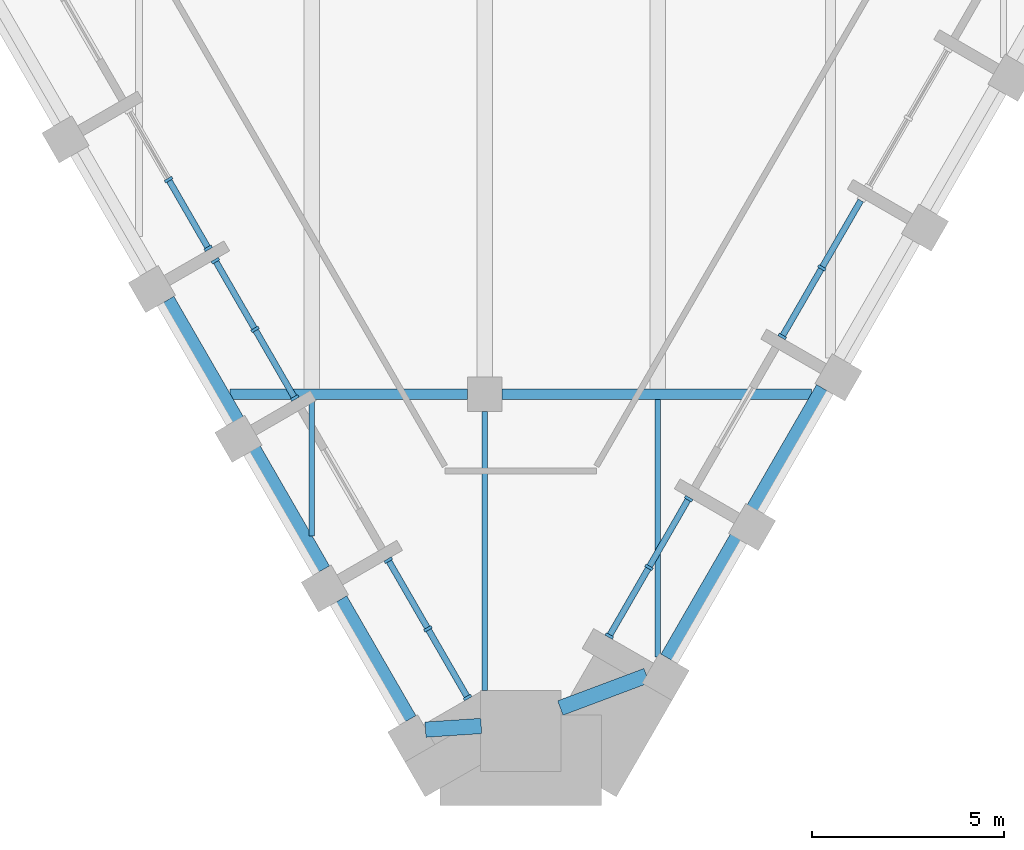
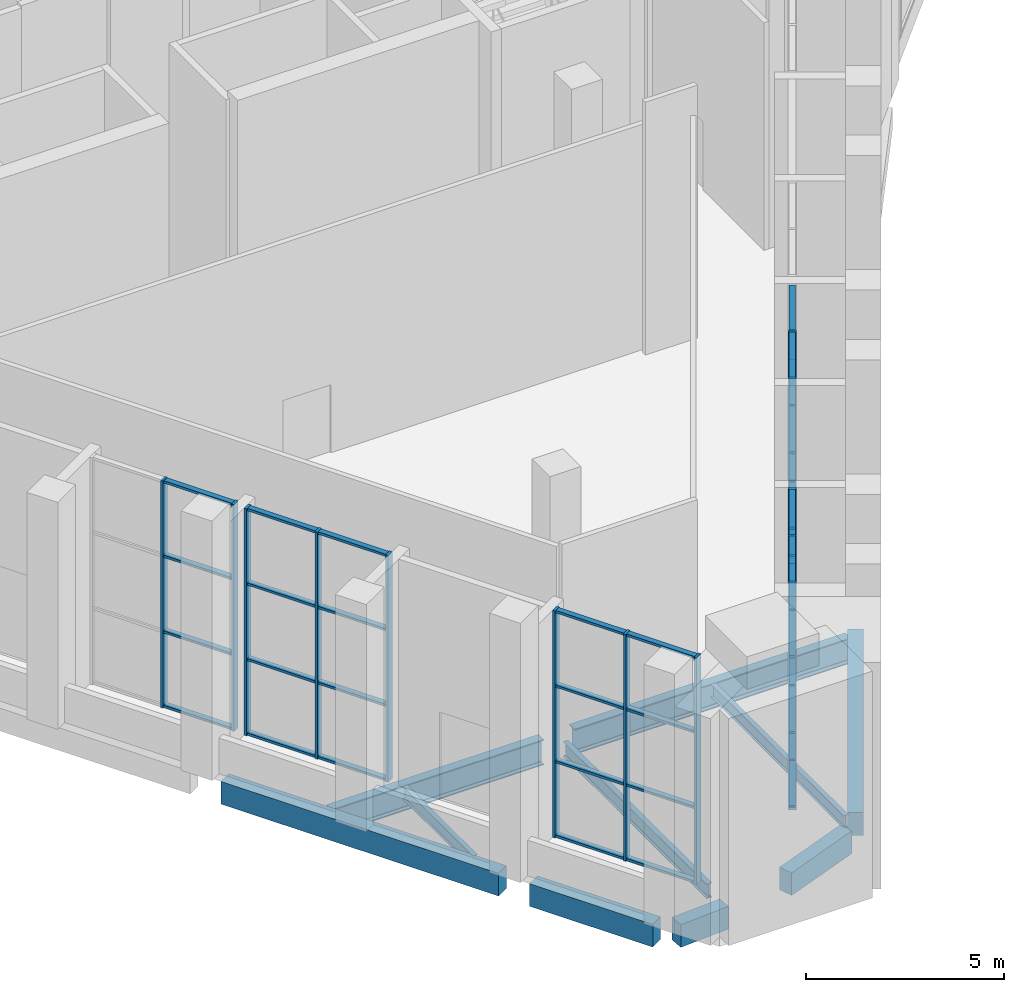
# One storey, part 2 of 16: 49 members, 10 beams, 5 elements without a shape of their own.
"""IFC4 building model written with IfcOpenShell, lengths in metres."""

from ifc_helpers import new_model, si_unit, direction, frame, origin, origin_2d, place, context, subcontext, project, spatial, rectangle, i_section, extrude, material, material_profile, profile_set, type_object, element, aggregate, save


model = new_model("IFC4")

# Units and contexts
model_context = context("Model", 3, precision=1e-05, world=origin(), true_north=direction((0.0, 1.0)))
body_context = subcontext(model_context, "Body", "Model", "MODEL_VIEW")
ifc_project = project(units=[si_unit("LENGTHUNIT", "METRE"), si_unit("AREAUNIT", "SQUARE_METRE"), si_unit("VOLUMEUNIT", "CUBIC_METRE"), si_unit("PLANEANGLEUNIT", "RADIAN"), si_unit("MASSUNIT", "GRAM", prefix="KILO")], contexts=[model_context])

# Site, building, storey
site_placement = place(None, origin())
site = spatial("IfcSite", under=ifc_project, at=site_placement, CompositionType="ELEMENT")
building_placement = place(site_placement, origin())
building = spatial("IfcBuilding", under=site, at=building_placement, Name="Calabash Gate Tower", CompositionType="ELEMENT")
storey_placement = place(building_placement, frame((0.0, 0.0, 302.5)))
storey = spatial("IfcBuildingStorey", under=building, at=storey_placement, Name="L72", CompositionType="ELEMENT", Elevation=302.5)

# Beams
ifc_material_1 = material(Name="Concrete C50/60", Category="concrete")
ifc_material_profile_1 = material_profile(ifc_material_1, rectangle(XDim=0.39990234375, YDim=0.699951171875, at=origin_2d()))
ifc_profile_set_1 = profile_set([ifc_material_profile_1], Name="Concrete C50/60")
beam_type_1 = type_object("IfcBeamType", Name="Edge beam RC 400x700 Concrete C50/60", PredefinedType="BEAM", material=ifc_profile_set_1)
beam_1_placement = place(storey_placement, frame((-8.263916015625, -9.552001953125, -0.64990234375), z_axis=(0.499977274689, -0.866038523851, 0.0), x_axis=(0.866038523851, 0.499977274689, 0.0)))
element("IfcBeam", 1, at=beam_1_placement, inside=storey, type_object=beam_type_1, Name="Edge beam L72 2", PredefinedType="BEAM", context=body_context, shape_type="SweptSolid", body=[
    extrude(rectangle(XDim=0.39990234375, YDim=0.699951171875, at=origin_2d()), origin(), (0.0, 0.0, 1.0), 8.10009765625),
])
beam_2_placement = place(storey_placement, frame((-3.763916015625, -17.346923828125, -0.64990234375), z_axis=(0.50001992892, -0.866013897511, 0.0), x_axis=(0.866013897511, 0.50001992892, 0.0)))
element("IfcBeam", 2, at=beam_2_placement, inside=storey, type_object=beam_type_1, Name="Edge beam L72 3", PredefinedType="BEAM", context=body_context, shape_type="SweptSolid", body=[
    extrude(rectangle(XDim=0.39990234375, YDim=0.699951171875, at=origin_2d()), origin(), (0.0, 0.0, 1.0), 3.599365234375),
])
beam_3_placement = place(storey_placement, frame((-1.54296875, -20.72900390625, -0.64990234375), z_axis=(0.997820674336, 0.065984103149, 0.0), x_axis=(-0.065984103149, 0.997820674336, 0.0)))
element("IfcBeam", 3, at=beam_3_placement, inside=storey, type_object=beam_type_1, Name="Edge beam L72 4", PredefinedType="BEAM", context=body_context, shape_type="SweptSolid", body=[
    extrude(rectangle(XDim=0.39990234375, YDim=0.699951171875, at=origin_2d()), origin(), (0.0, 0.0, 1.0), 1.4541015625),
])
beam_4_placement = place(storey_placement, frame((1.967041015625, -20.1669921875, -0.64990234375), z_axis=(0.936082215366, 0.351781304329, 0.0), x_axis=(-0.351781304329, 0.936082215366, 0.0)))
element("IfcBeam", 4, at=beam_4_placement, inside=storey, type_object=beam_type_1, Name="Edge beam L72 5", PredefinedType="BEAM", context=body_context, shape_type="SweptSolid", body=[
    extrude(rectangle(XDim=0.39990234375, YDim=0.699951171875, at=origin_2d()), origin(), (0.0, 0.0, 1.0), 2.399169921875),
])
beam_5_placement = place(storey_placement, frame((4.760009765625, -18.863037109375, -0.64990234375), z_axis=(0.50005208986, 0.865995327601, 0.0), x_axis=(-0.865995327601, 0.50005208986, 0.0)))
element("IfcBeam", 5, at=beam_5_placement, inside=storey, type_object=beam_type_1, Name="Edge beam L72 6", PredefinedType="BEAM", context=body_context, shape_type="SweptSolid", body=[
    extrude(rectangle(XDim=0.39990234375, YDim=0.699951171875, at=origin_2d()), origin(), (0.0, 0.0, 1.0), 8.099365234375),
])
ifc_material_2 = material(Name="Steel ASTM A992 Gr50", Category="steel")
ifc_material_profile_2 = material_profile(ifc_material_2, i_section(OverallWidth=0.1396484375, OverallDepth=0.398681640625, WebThickness=0.00634765625, FlangeThickness=0.0087890625, FilletRadius=0.01025390625, at=origin_2d()))
ifc_profile_set_2 = profile_set([ifc_material_profile_2], Name="Steel ASTM A992 Gr50")
beam_type_2 = type_object("IfcBeamType", Name="Floor beam W16x26 ASTM A992 Gr50", PredefinedType="BEAM", material=ifc_profile_set_2)
beam_6_placement = place(storey_placement, frame((-4.5, -15.68310546875, -0.4990234375), z_axis=(0.0, 1.0, 0.0), x_axis=(-1.0, 0.0, 0.0)))
element("IfcBeam", 6, at=beam_6_placement, inside=storey, type_object=beam_type_2, Name="Floor beam L72 5", PredefinedType="BEAM", context=body_context, shape_type="SweptSolid", body=[
    extrude(i_section(OverallWidth=0.1396484375, OverallDepth=0.398681640625, WebThickness=0.00634765625, FlangeThickness=0.0087890625, FilletRadius=0.01025390625, at=origin_2d()), origin(), (0.0, 0.0, 1.0), 3.550048828125),
])
beam_7_placement = place(storey_placement, frame((4.5, -18.843017578125, -0.4990234375), z_axis=(0.0, 1.0, 0.0), x_axis=(-1.0, 0.0, 0.0)))
element("IfcBeam", 7, at=beam_7_placement, inside=storey, type_object=beam_type_2, Name="Floor beam L72 9", PredefinedType="BEAM", context=body_context, shape_type="SweptSolid", body=[
    extrude(i_section(OverallWidth=0.1396484375, OverallDepth=0.398681640625, WebThickness=0.00634765625, FlangeThickness=0.0087890625, FilletRadius=0.01025390625, at=origin_2d()), origin(), (0.0, 0.0, 1.0), 6.7099609375),
])
ifc_material_3 = material(Name="Steel ASTM A992 Gr50", Category="steel")
ifc_material_profile_3 = material_profile(ifc_material_3, i_section(OverallWidth=0.15234375, OverallDepth=0.44970703125, WebThickness=0.007568359375, FlangeThickness=0.0107421875, FilletRadius=0.01025390625, at=origin_2d()))
ifc_profile_set_3 = profile_set([ifc_material_profile_3], Name="Steel ASTM A992 Gr50")
beam_type_3 = type_object("IfcBeamType", Name="Floor beam W18x35 ASTM A992 Gr50", PredefinedType="BEAM", material=ifc_profile_set_3)
beam_8_placement = place(storey_placement, frame((0.0, -19.716064453125, -0.52294921875), z_axis=(0.0, 1.0, 0.0), x_axis=(-1.0, 0.0, 0.0)))
element("IfcBeam", 8, at=beam_8_placement, inside=storey, type_object=beam_type_3, Name="Floor beam L72 7", PredefinedType="BEAM", context=body_context, shape_type="SweptSolid", body=[
    extrude(i_section(OverallWidth=0.15234375, OverallDepth=0.44970703125, WebThickness=0.007568359375, FlangeThickness=0.0107421875, FilletRadius=0.01025390625, at=origin_2d()), origin(), (0.0, 0.0, 1.0), 7.26611328125),
])
ifc_material_4 = material(Name="Steel ASTM A992 Gr50", Category="steel")
ifc_material_profile_4 = material_profile(ifc_material_4, i_section(OverallWidth=0.2666015625, OverallDepth=0.77978515625, WebThickness=0.0166015625, FlangeThickness=0.030029296875, FilletRadius=0.0166015625, at=origin_2d()))
ifc_profile_set_4 = profile_set([ifc_material_profile_4], Name="Steel ASTM A992 Gr50")
beam_type_4 = type_object("IfcBeamType", Name="Girder W30x148 ASTM A992 Gr50", PredefinedType="BEAM", material=ifc_profile_set_4)
beam_9_placement = place(storey_placement, frame((-6.632080078125, -12.0, -0.68994140625), z_axis=(1.0, 0.0, 0.0), x_axis=(0.0, 1.0, 0.0)))
element("IfcBeam", 9, at=beam_9_placement, inside=storey, type_object=beam_type_4, Name="Girder L72 4", PredefinedType="BEAM", context=body_context, shape_type="SweptSolid", body=[
    extrude(i_section(OverallWidth=0.2666015625, OverallDepth=0.77978515625, WebThickness=0.0166015625, FlangeThickness=0.030029296875, FilletRadius=0.0166015625, at=origin_2d()), origin(), (0.0, 0.0, 1.0), 6.18212890625),
])
beam_10_placement = place(storey_placement, frame((0.449951171875, -12.0, -0.68994140625), z_axis=(1.0, 0.0, 0.0), x_axis=(0.0, 1.0, 0.0)))
element("IfcBeam", 10, at=beam_10_placement, inside=storey, type_object=beam_type_4, Name="Girder L72 5", PredefinedType="BEAM", context=body_context, shape_type="SweptSolid", body=[
    extrude(i_section(OverallWidth=0.2666015625, OverallDepth=0.77978515625, WebThickness=0.0166015625, FlangeThickness=0.030029296875, FilletRadius=0.0166015625, at=origin_2d()), origin(), (0.0, 0.0, 1.0), 8.052978515625),
])

# Curtain wall, members
ifc_material_5 = material(Name="Anodised aluminium frame, bronze finish, clear laminated impact-rated glazing", Category="aluminium")
curtain_wall_type = type_object("IfcCurtainWallType", Name="Curtain wall CWO observation deck wall", PredefinedType="NOTDEFINED", material=ifc_material_5)
curtain_wall_1_placement = place(storey_placement, origin())
curtain_wall_1 = element("IfcCurtainWall", 11, at=curtain_wall_1_placement, inside=storey, type_object=curtain_wall_type, Name="Curtain wall CWO L72 SW0.6", PredefinedType="NOTDEFINED")
ifc_material_6 = material(Name="Anodised aluminium frame, bronze finish", Category="aluminium")
ifc_material_profile_5 = material_profile(ifc_material_6, rectangle(XDim=0.219970703125, YDim=0.074951171875, at=origin_2d()))
ifc_profile_set_5 = profile_set([ifc_material_profile_5], Name="Anodised aluminium frame, bronze finish")
member_type_1 = type_object("IfcMemberType", Name="Mullion CWO 75x220", PredefinedType="MULLION", material=ifc_profile_set_5)
member_1_placement = place(storey_placement, frame((-8.22802734375, -6.4140625, 0.0), z_axis=(0.0, 0.0, 1.0), x_axis=(0.866025421884, 0.499999968652, 0.0)))
member_1 = element("IfcMember", 12, at=member_1_placement, type_object=member_type_1, Name="CWO mullion 2", PredefinedType="MULLION", context=body_context, shape_type="SweptSolid", body=[
    extrude(rectangle(XDim=0.219970703125, YDim=0.074951171875, at=origin_2d()), origin(), (0.0, 0.0, 1.0), 7.0),
])
member_2_placement = place(storey_placement, frame((-7.19677734375, -8.2001953125, 0.0), z_axis=(0.0, 0.0, 1.0), x_axis=(0.866025421884, 0.499999968652, 0.0)))
member_2 = element("IfcMember", 13, at=member_2_placement, type_object=member_type_1, Name="CWO mullion 3", PredefinedType="MULLION", context=body_context, shape_type="SweptSolid", body=[
    extrude(rectangle(XDim=0.219970703125, YDim=0.074951171875, at=origin_2d()), origin(), (0.0, 0.0, 1.0), 7.0),
])

curtain_wall_2_placement = place(storey_placement, origin())
curtain_wall_2 = element("IfcCurtainWall", 14, at=curtain_wall_2_placement, inside=storey, type_object=curtain_wall_type, Name="Curtain wall CWO L72 SW0.7", PredefinedType="NOTDEFINED")
member_3_placement = place(storey_placement, frame((-7.00927734375, -8.52490234375, 0.0), z_axis=(0.0, 0.0, 1.0), x_axis=(0.866025259262, 0.500000250319, 0.0)))
member_3 = element("IfcMember", 15, at=member_3_placement, type_object=member_type_1, Name="CWO mullion 1", PredefinedType="MULLION", context=body_context, shape_type="SweptSolid", body=[
    extrude(rectangle(XDim=0.219970703125, YDim=0.074951171875, at=origin_2d()), origin(), (0.0, 0.0, 1.0), 7.0),
])
member_4_placement = place(storey_placement, frame((-5.97802734375, -10.311279296875, 0.0), z_axis=(0.0, 0.0, 1.0), x_axis=(0.866025259262, 0.500000250319, 0.0)))
member_4 = element("IfcMember", 16, at=member_4_placement, type_object=member_type_1, Name="CWO mullion 2", PredefinedType="MULLION", context=body_context, shape_type="SweptSolid", body=[
    extrude(rectangle(XDim=0.219970703125, YDim=0.074951171875, at=origin_2d()), origin(), (0.0, 0.0, 1.0), 7.0),
])
member_5_placement = place(storey_placement, frame((-4.94677734375, -12.097412109375, 0.0), z_axis=(0.0, 0.0, 1.0), x_axis=(0.866025259262, 0.500000250319, 0.0)))
member_5 = element("IfcMember", 17, at=member_5_placement, type_object=member_type_1, Name="CWO mullion 3", PredefinedType="MULLION", context=body_context, shape_type="SweptSolid", body=[
    extrude(rectangle(XDim=0.219970703125, YDim=0.074951171875, at=origin_2d()), origin(), (0.0, 0.0, 1.0), 7.0),
])

curtain_wall_3_placement = place(storey_placement, origin())
curtain_wall_3 = element("IfcCurtainWall", 18, at=curtain_wall_3_placement, inside=storey, type_object=curtain_wall_type, Name="Curtain wall CWO L72 SW0.9", PredefinedType="NOTDEFINED")
member_6_placement = place(storey_placement, frame((-2.50927734375, -16.3193359375, 0.0), z_axis=(0.0, 0.0, 1.0), x_axis=(0.866025421884, 0.499999968652, 0.0)))
member_6 = element("IfcMember", 19, at=member_6_placement, type_object=member_type_1, Name="CWO mullion 1", PredefinedType="MULLION", context=body_context, shape_type="SweptSolid", body=[
    extrude(rectangle(XDim=0.219970703125, YDim=0.074951171875, at=origin_2d()), origin(), (0.0, 0.0, 1.0), 7.0),
])
member_7_placement = place(storey_placement, frame((-1.47802734375, -18.10546875, 0.0), z_axis=(0.0, 0.0, 1.0), x_axis=(0.866025421884, 0.499999968652, 0.0)))
member_7 = element("IfcMember", 20, at=member_7_placement, type_object=member_type_1, Name="CWO mullion 2", PredefinedType="MULLION", context=body_context, shape_type="SweptSolid", body=[
    extrude(rectangle(XDim=0.219970703125, YDim=0.074951171875, at=origin_2d()), origin(), (0.0, 0.0, 1.0), 7.0),
])
member_8_placement = place(storey_placement, frame((-0.44677734375, -19.8916015625, 0.0), z_axis=(0.0, 0.0, 1.0), x_axis=(0.866025421884, 0.499999968652, 0.0)))
member_8 = element("IfcMember", 21, at=member_8_placement, type_object=member_type_1, Name="CWO mullion 3", PredefinedType="MULLION", context=body_context, shape_type="SweptSolid", body=[
    extrude(rectangle(XDim=0.219970703125, YDim=0.074951171875, at=origin_2d()), origin(), (0.0, 0.0, 1.0), 7.0),
])

curtain_wall_4_placement = place(storey_placement, origin())
curtain_wall_4 = element("IfcCurtainWall", 22, at=curtain_wall_4_placement, inside=storey, type_object=curtain_wall_type, Name="Curtain wall CWO L72 SE2.1", PredefinedType="NOTDEFINED")
member_9_placement = place(storey_placement, frame((3.242919921875, -18.290771484375, 0.0), z_axis=(0.0, 0.0, 1.0), x_axis=(-0.866025362359, 0.500000071751, 0.0)))
member_9 = element("IfcMember", 23, at=member_9_placement, type_object=member_type_1, Name="CWO mullion 1", PredefinedType="MULLION", context=body_context, shape_type="SweptSolid", body=[
    extrude(rectangle(XDim=0.219970703125, YDim=0.074951171875, at=origin_2d()), origin(), (0.0, 0.0, 1.0), 7.0),
])
member_10_placement = place(storey_placement, frame((4.274169921875, -16.504638671875, 0.0), z_axis=(0.0, 0.0, 1.0), x_axis=(-0.866025362359, 0.500000071751, 0.0)))
member_10 = element("IfcMember", 24, at=member_10_placement, type_object=member_type_1, Name="CWO mullion 2", PredefinedType="MULLION", context=body_context, shape_type="SweptSolid", body=[
    extrude(rectangle(XDim=0.219970703125, YDim=0.074951171875, at=origin_2d()), origin(), (0.0, 0.0, 1.0), 7.0),
])
member_11_placement = place(storey_placement, frame((5.305419921875, -14.718505859375, 0.0), z_axis=(0.0, 0.0, 1.0), x_axis=(-0.866025362359, 0.500000071751, 0.0)))
member_11 = element("IfcMember", 25, at=member_11_placement, type_object=member_type_1, Name="CWO mullion 3", PredefinedType="MULLION", context=body_context, shape_type="SweptSolid", body=[
    extrude(rectangle(XDim=0.219970703125, YDim=0.074951171875, at=origin_2d()), origin(), (0.0, 0.0, 1.0), 7.0),
])

curtain_wall_5_placement = place(storey_placement, origin())
curtain_wall_5 = element("IfcCurtainWall", 26, at=curtain_wall_5_placement, inside=storey, type_object=curtain_wall_type, Name="Curtain wall CWO L72 SE2.3", PredefinedType="NOTDEFINED")
member_12_placement = place(storey_placement, frame((7.742919921875, -10.49658203125, 0.0), z_axis=(0.0, 0.0, 1.0), x_axis=(-0.866025421884, 0.499999968652, 0.0)))
member_12 = element("IfcMember", 27, at=member_12_placement, type_object=member_type_1, Name="CWO mullion 1", PredefinedType="MULLION", context=body_context, shape_type="SweptSolid", body=[
    extrude(rectangle(XDim=0.219970703125, YDim=0.074951171875, at=origin_2d()), origin(), (0.0, 0.0, 1.0), 7.0),
])
member_13_placement = place(storey_placement, frame((8.774169921875, -8.71044921875, 0.0), z_axis=(0.0, 0.0, 1.0), x_axis=(-0.866025421884, 0.499999968652, 0.0)))
member_13 = element("IfcMember", 28, at=member_13_placement, type_object=member_type_1, Name="CWO mullion 2", PredefinedType="MULLION", context=body_context, shape_type="SweptSolid", body=[
    extrude(rectangle(XDim=0.219970703125, YDim=0.074951171875, at=origin_2d()), origin(), (0.0, 0.0, 1.0), 7.0),
])

# Member
ifc_material_7 = material(Name="Anodised aluminium frame, bronze finish", Category="aluminium")
ifc_material_profile_6 = material_profile(ifc_material_7, rectangle(XDim=0.159912109375, YDim=0.074951171875, at=origin_2d()))
ifc_profile_set_6 = profile_set([ifc_material_profile_6], Name="Anodised aluminium frame, bronze finish")
member_type_2 = type_object("IfcMemberType", Name="Transom CWO 75x160", PredefinedType="USERDEFINED", material=ifc_profile_set_6)
member_14_placement = place(storey_placement, frame((-8.209228515625, -6.446533203125, 0.03759765625), z_axis=(0.4999705729, -0.866042392862, 0.0), x_axis=(0.866042392862, 0.4999705729, 0.0)))
member_14 = element("IfcMember", 29, at=member_14_placement, type_object=member_type_2, Name="CWO transom 2.1", ObjectType="TRANSOM", PredefinedType="USERDEFINED", context=body_context, shape_type="SweptSolid", body=[
    extrude(rectangle(XDim=0.159912109375, YDim=0.074951171875, at=origin_2d()), origin(), (0.0, 0.0, 1.0), 1.9873046875),
])

member_15_placement = place(storey_placement, frame((-8.209228515625, -6.446533203125, 2.333251953125), z_axis=(0.4999705729, -0.866042392862, 0.0), x_axis=(0.866042392862, 0.4999705729, 0.0)))
member_15 = element("IfcMember", 30, at=member_15_placement, type_object=member_type_2, Name="CWO transom 2.2", ObjectType="TRANSOM", PredefinedType="USERDEFINED", context=body_context, shape_type="SweptSolid", body=[
    extrude(rectangle(XDim=0.159912109375, YDim=0.074951171875, at=origin_2d()), origin(), (0.0, 0.0, 1.0), 1.9873046875),
])

member_16_placement = place(storey_placement, frame((-8.209228515625, -6.446533203125, 4.666748046875), z_axis=(0.4999705729, -0.866042392862, 0.0), x_axis=(0.866042392862, 0.4999705729, 0.0)))
member_16 = element("IfcMember", 31, at=member_16_placement, type_object=member_type_2, Name="CWO transom 2.3", ObjectType="TRANSOM", PredefinedType="USERDEFINED", context=body_context, shape_type="SweptSolid", body=[
    extrude(rectangle(XDim=0.159912109375, YDim=0.074951171875, at=origin_2d()), origin(), (0.0, 0.0, 1.0), 1.9873046875),
])

member_17_placement = place(storey_placement, frame((-8.209228515625, -6.446533203125, 6.96240234375), z_axis=(0.4999705729, -0.866042392862, 0.0), x_axis=(0.866042392862, 0.4999705729, 0.0)))
member_17 = element("IfcMember", 32, at=member_17_placement, type_object=member_type_2, Name="CWO transom 2.4", ObjectType="TRANSOM", PredefinedType="USERDEFINED", context=body_context, shape_type="SweptSolid", body=[
    extrude(rectangle(XDim=0.159912109375, YDim=0.074951171875, at=origin_2d()), origin(), (0.0, 0.0, 1.0), 1.9873046875),
])

aggregate(curtain_wall_1, [member_1, member_2, member_14, member_15, member_16, member_17])

member_18_placement = place(storey_placement, frame((-6.990478515625, -8.557373046875, 0.03759765625), z_axis=(0.49991738717, -0.86607309507, 0.0), x_axis=(0.86607309507, 0.49991738717, 0.0)))
member_18 = element("IfcMember", 33, at=member_18_placement, type_object=member_type_2, Name="CWO transom 1.1", ObjectType="TRANSOM", PredefinedType="USERDEFINED", context=body_context, shape_type="SweptSolid", body=[
    extrude(rectangle(XDim=0.159912109375, YDim=0.074951171875, at=origin_2d()), origin(), (0.0, 0.0, 1.0), 1.987548828125),
])

member_19_placement = place(storey_placement, frame((-6.990478515625, -8.557373046875, 2.333251953125), z_axis=(0.49991738717, -0.86607309507, 0.0), x_axis=(0.86607309507, 0.49991738717, 0.0)))
member_19 = element("IfcMember", 34, at=member_19_placement, type_object=member_type_2, Name="CWO transom 1.2", ObjectType="TRANSOM", PredefinedType="USERDEFINED", context=body_context, shape_type="SweptSolid", body=[
    extrude(rectangle(XDim=0.159912109375, YDim=0.074951171875, at=origin_2d()), origin(), (0.0, 0.0, 1.0), 1.987548828125),
])

member_20_placement = place(storey_placement, frame((-6.990478515625, -8.557373046875, 4.666748046875), z_axis=(0.49991738717, -0.86607309507, 0.0), x_axis=(0.86607309507, 0.49991738717, 0.0)))
member_20 = element("IfcMember", 35, at=member_20_placement, type_object=member_type_2, Name="CWO transom 1.3", ObjectType="TRANSOM", PredefinedType="USERDEFINED", context=body_context, shape_type="SweptSolid", body=[
    extrude(rectangle(XDim=0.159912109375, YDim=0.074951171875, at=origin_2d()), origin(), (0.0, 0.0, 1.0), 1.987548828125),
])

member_21_placement = place(storey_placement, frame((-6.990478515625, -8.557373046875, 6.96240234375), z_axis=(0.49991738717, -0.86607309507, 0.0), x_axis=(0.86607309507, 0.49991738717, 0.0)))
member_21 = element("IfcMember", 36, at=member_21_placement, type_object=member_type_2, Name="CWO transom 1.4", ObjectType="TRANSOM", PredefinedType="USERDEFINED", context=body_context, shape_type="SweptSolid", body=[
    extrude(rectangle(XDim=0.159912109375, YDim=0.074951171875, at=origin_2d()), origin(), (0.0, 0.0, 1.0), 1.987548828125),
])

member_22_placement = place(storey_placement, frame((-5.959228515625, -10.34375, 0.03759765625), z_axis=(0.4999705729, -0.866042392862, 0.0), x_axis=(0.866042392862, 0.4999705729, 0.0)))
member_22 = element("IfcMember", 37, at=member_22_placement, type_object=member_type_2, Name="CWO transom 2.1", ObjectType="TRANSOM", PredefinedType="USERDEFINED", context=body_context, shape_type="SweptSolid", body=[
    extrude(rectangle(XDim=0.159912109375, YDim=0.074951171875, at=origin_2d()), origin(), (0.0, 0.0, 1.0), 1.9873046875),
])

member_23_placement = place(storey_placement, frame((-5.959228515625, -10.34375, 2.333251953125), z_axis=(0.4999705729, -0.866042392862, 0.0), x_axis=(0.866042392862, 0.4999705729, 0.0)))
member_23 = element("IfcMember", 38, at=member_23_placement, type_object=member_type_2, Name="CWO transom 2.2", ObjectType="TRANSOM", PredefinedType="USERDEFINED", context=body_context, shape_type="SweptSolid", body=[
    extrude(rectangle(XDim=0.159912109375, YDim=0.074951171875, at=origin_2d()), origin(), (0.0, 0.0, 1.0), 1.9873046875),
])

member_24_placement = place(storey_placement, frame((-5.959228515625, -10.34375, 4.666748046875), z_axis=(0.4999705729, -0.866042392862, 0.0), x_axis=(0.866042392862, 0.4999705729, 0.0)))
member_24 = element("IfcMember", 39, at=member_24_placement, type_object=member_type_2, Name="CWO transom 2.3", ObjectType="TRANSOM", PredefinedType="USERDEFINED", context=body_context, shape_type="SweptSolid", body=[
    extrude(rectangle(XDim=0.159912109375, YDim=0.074951171875, at=origin_2d()), origin(), (0.0, 0.0, 1.0), 1.9873046875),
])

member_25_placement = place(storey_placement, frame((-5.959228515625, -10.34375, 6.96240234375), z_axis=(0.4999705729, -0.866042392862, 0.0), x_axis=(0.866042392862, 0.4999705729, 0.0)))
member_25 = element("IfcMember", 40, at=member_25_placement, type_object=member_type_2, Name="CWO transom 2.4", ObjectType="TRANSOM", PredefinedType="USERDEFINED", context=body_context, shape_type="SweptSolid", body=[
    extrude(rectangle(XDim=0.159912109375, YDim=0.074951171875, at=origin_2d()), origin(), (0.0, 0.0, 1.0), 1.9873046875),
])

aggregate(curtain_wall_2, [member_3, member_4, member_5, member_18, member_19, member_20, member_21, member_22, member_23, member_24, member_25])

member_26_placement = place(storey_placement, frame((-2.490478515625, -16.351806640625, 0.03759765625), z_axis=(0.4999705729, -0.866042392862, 0.0), x_axis=(0.866042392862, 0.4999705729, 0.0)))
member_26 = element("IfcMember", 41, at=member_26_placement, type_object=member_type_2, Name="CWO transom 1.1", ObjectType="TRANSOM", PredefinedType="USERDEFINED", context=body_context, shape_type="SweptSolid", body=[
    extrude(rectangle(XDim=0.159912109375, YDim=0.074951171875, at=origin_2d()), origin(), (0.0, 0.0, 1.0), 1.9873046875),
])

member_27_placement = place(storey_placement, frame((-2.490478515625, -16.351806640625, 2.333251953125), z_axis=(0.4999705729, -0.866042392862, 0.0), x_axis=(0.866042392862, 0.4999705729, 0.0)))
member_27 = element("IfcMember", 42, at=member_27_placement, type_object=member_type_2, Name="CWO transom 1.2", ObjectType="TRANSOM", PredefinedType="USERDEFINED", context=body_context, shape_type="SweptSolid", body=[
    extrude(rectangle(XDim=0.159912109375, YDim=0.074951171875, at=origin_2d()), origin(), (0.0, 0.0, 1.0), 1.9873046875),
])

member_28_placement = place(storey_placement, frame((-2.490478515625, -16.351806640625, 4.666748046875), z_axis=(0.4999705729, -0.866042392862, 0.0), x_axis=(0.866042392862, 0.4999705729, 0.0)))
member_28 = element("IfcMember", 43, at=member_28_placement, type_object=member_type_2, Name="CWO transom 1.3", ObjectType="TRANSOM", PredefinedType="USERDEFINED", context=body_context, shape_type="SweptSolid", body=[
    extrude(rectangle(XDim=0.159912109375, YDim=0.074951171875, at=origin_2d()), origin(), (0.0, 0.0, 1.0), 1.9873046875),
])

member_29_placement = place(storey_placement, frame((-2.490478515625, -16.351806640625, 6.96240234375), z_axis=(0.4999705729, -0.866042392862, 0.0), x_axis=(0.866042392862, 0.4999705729, 0.0)))
member_29 = element("IfcMember", 44, at=member_29_placement, type_object=member_type_2, Name="CWO transom 1.4", ObjectType="TRANSOM", PredefinedType="USERDEFINED", context=body_context, shape_type="SweptSolid", body=[
    extrude(rectangle(XDim=0.159912109375, YDim=0.074951171875, at=origin_2d()), origin(), (0.0, 0.0, 1.0), 1.9873046875),
])

member_30_placement = place(storey_placement, frame((-1.459228515625, -18.137939453125, 0.03759765625), z_axis=(0.4999705729, -0.866042392862, 0.0), x_axis=(0.866042392862, 0.4999705729, 0.0)))
member_30 = element("IfcMember", 45, at=member_30_placement, type_object=member_type_2, Name="CWO transom 2.1", ObjectType="TRANSOM", PredefinedType="USERDEFINED", context=body_context, shape_type="SweptSolid", body=[
    extrude(rectangle(XDim=0.159912109375, YDim=0.074951171875, at=origin_2d()), origin(), (0.0, 0.0, 1.0), 1.9873046875),
])

member_31_placement = place(storey_placement, frame((-1.459228515625, -18.137939453125, 2.333251953125), z_axis=(0.4999705729, -0.866042392862, 0.0), x_axis=(0.866042392862, 0.4999705729, 0.0)))
member_31 = element("IfcMember", 46, at=member_31_placement, type_object=member_type_2, Name="CWO transom 2.2", ObjectType="TRANSOM", PredefinedType="USERDEFINED", context=body_context, shape_type="SweptSolid", body=[
    extrude(rectangle(XDim=0.159912109375, YDim=0.074951171875, at=origin_2d()), origin(), (0.0, 0.0, 1.0), 1.9873046875),
])

member_32_placement = place(storey_placement, frame((-1.459228515625, -18.137939453125, 4.666748046875), z_axis=(0.4999705729, -0.866042392862, 0.0), x_axis=(0.866042392862, 0.4999705729, 0.0)))
member_32 = element("IfcMember", 47, at=member_32_placement, type_object=member_type_2, Name="CWO transom 2.3", ObjectType="TRANSOM", PredefinedType="USERDEFINED", context=body_context, shape_type="SweptSolid", body=[
    extrude(rectangle(XDim=0.159912109375, YDim=0.074951171875, at=origin_2d()), origin(), (0.0, 0.0, 1.0), 1.9873046875),
])

member_33_placement = place(storey_placement, frame((-1.459228515625, -18.137939453125, 6.96240234375), z_axis=(0.4999705729, -0.866042392862, 0.0), x_axis=(0.866042392862, 0.4999705729, 0.0)))
member_33 = element("IfcMember", 48, at=member_33_placement, type_object=member_type_2, Name="CWO transom 2.4", ObjectType="TRANSOM", PredefinedType="USERDEFINED", context=body_context, shape_type="SweptSolid", body=[
    extrude(rectangle(XDim=0.159912109375, YDim=0.074951171875, at=origin_2d()), origin(), (0.0, 0.0, 1.0), 1.9873046875),
])

aggregate(curtain_wall_3, [member_6, member_7, member_8, member_26, member_27, member_28, member_29, member_30, member_31, member_32, member_33])

member_34_placement = place(storey_placement, frame((3.261474609375, -18.25830078125, 0.03759765625), z_axis=(0.500062700197, 0.865989200783, 0.0), x_axis=(-0.865989200783, 0.500062700197, 0.0)))
member_34 = element("IfcMember", 49, at=member_34_placement, type_object=member_type_2, Name="CWO transom 1.1", ObjectType="TRANSOM", PredefinedType="USERDEFINED", context=body_context, shape_type="SweptSolid", body=[
    extrude(rectangle(XDim=0.159912109375, YDim=0.074951171875, at=origin_2d()), origin(), (0.0, 0.0, 1.0), 1.987548828125),
])

member_35_placement = place(storey_placement, frame((3.261474609375, -18.25830078125, 2.333251953125), z_axis=(0.500062700197, 0.865989200783, 0.0), x_axis=(-0.865989200783, 0.500062700197, 0.0)))
member_35 = element("IfcMember", 50, at=member_35_placement, type_object=member_type_2, Name="CWO transom 1.2", ObjectType="TRANSOM", PredefinedType="USERDEFINED", context=body_context, shape_type="SweptSolid", body=[
    extrude(rectangle(XDim=0.159912109375, YDim=0.074951171875, at=origin_2d()), origin(), (0.0, 0.0, 1.0), 1.987548828125),
])

member_36_placement = place(storey_placement, frame((3.261474609375, -18.25830078125, 4.666748046875), z_axis=(0.500062700197, 0.865989200783, 0.0), x_axis=(-0.865989200783, 0.500062700197, 0.0)))
member_36 = element("IfcMember", 51, at=member_36_placement, type_object=member_type_2, Name="CWO transom 1.3", ObjectType="TRANSOM", PredefinedType="USERDEFINED", context=body_context, shape_type="SweptSolid", body=[
    extrude(rectangle(XDim=0.159912109375, YDim=0.074951171875, at=origin_2d()), origin(), (0.0, 0.0, 1.0), 1.987548828125),
])

member_37_placement = place(storey_placement, frame((3.261474609375, -18.25830078125, 6.96240234375), z_axis=(0.500062700197, 0.865989200783, 0.0), x_axis=(-0.865989200783, 0.500062700197, 0.0)))
member_37 = element("IfcMember", 52, at=member_37_placement, type_object=member_type_2, Name="CWO transom 1.4", ObjectType="TRANSOM", PredefinedType="USERDEFINED", context=body_context, shape_type="SweptSolid", body=[
    extrude(rectangle(XDim=0.159912109375, YDim=0.074951171875, at=origin_2d()), origin(), (0.0, 0.0, 1.0), 1.987548828125),
])

member_38_placement = place(storey_placement, frame((4.292724609375, -16.47216796875, 0.03759765625), z_axis=(0.500062700197, 0.865989200783, 0.0), x_axis=(-0.865989200783, 0.500062700197, 0.0)))
member_38 = element("IfcMember", 53, at=member_38_placement, type_object=member_type_2, Name="CWO transom 2.1", ObjectType="TRANSOM", PredefinedType="USERDEFINED", context=body_context, shape_type="SweptSolid", body=[
    extrude(rectangle(XDim=0.159912109375, YDim=0.074951171875, at=origin_2d()), origin(), (0.0, 0.0, 1.0), 1.987548828125),
])

member_39_placement = place(storey_placement, frame((4.292724609375, -16.47216796875, 2.333251953125), z_axis=(0.500062700197, 0.865989200783, 0.0), x_axis=(-0.865989200783, 0.500062700197, 0.0)))
member_39 = element("IfcMember", 54, at=member_39_placement, type_object=member_type_2, Name="CWO transom 2.2", ObjectType="TRANSOM", PredefinedType="USERDEFINED", context=body_context, shape_type="SweptSolid", body=[
    extrude(rectangle(XDim=0.159912109375, YDim=0.074951171875, at=origin_2d()), origin(), (0.0, 0.0, 1.0), 1.987548828125),
])

member_40_placement = place(storey_placement, frame((4.292724609375, -16.47216796875, 4.666748046875), z_axis=(0.500062700197, 0.865989200783, 0.0), x_axis=(-0.865989200783, 0.500062700197, 0.0)))
member_40 = element("IfcMember", 55, at=member_40_placement, type_object=member_type_2, Name="CWO transom 2.3", ObjectType="TRANSOM", PredefinedType="USERDEFINED", context=body_context, shape_type="SweptSolid", body=[
    extrude(rectangle(XDim=0.159912109375, YDim=0.074951171875, at=origin_2d()), origin(), (0.0, 0.0, 1.0), 1.987548828125),
])

member_41_placement = place(storey_placement, frame((4.292724609375, -16.47216796875, 6.96240234375), z_axis=(0.500062700197, 0.865989200783, 0.0), x_axis=(-0.865989200783, 0.500062700197, 0.0)))
member_41 = element("IfcMember", 56, at=member_41_placement, type_object=member_type_2, Name="CWO transom 2.4", ObjectType="TRANSOM", PredefinedType="USERDEFINED", context=body_context, shape_type="SweptSolid", body=[
    extrude(rectangle(XDim=0.159912109375, YDim=0.074951171875, at=origin_2d()), origin(), (0.0, 0.0, 1.0), 1.987548828125),
])

aggregate(curtain_wall_4, [member_9, member_10, member_11, member_34, member_35, member_36, member_37, member_38, member_39, member_40, member_41])

member_42_placement = place(storey_placement, frame((7.761474609375, -10.464111328125, 0.03759765625), z_axis=(0.500062700197, 0.865989200783, 0.0), x_axis=(-0.865989200783, 0.500062700197, 0.0)))
member_42 = element("IfcMember", 57, at=member_42_placement, type_object=member_type_2, Name="CWO transom 1.1", ObjectType="TRANSOM", PredefinedType="USERDEFINED", context=body_context, shape_type="SweptSolid", body=[
    extrude(rectangle(XDim=0.159912109375, YDim=0.074951171875, at=origin_2d()), origin(), (0.0, 0.0, 1.0), 1.987548828125),
])

member_43_placement = place(storey_placement, frame((7.761474609375, -10.464111328125, 2.333251953125), z_axis=(0.500062700197, 0.865989200783, 0.0), x_axis=(-0.865989200783, 0.500062700197, 0.0)))
member_43 = element("IfcMember", 58, at=member_43_placement, type_object=member_type_2, Name="CWO transom 1.2", ObjectType="TRANSOM", PredefinedType="USERDEFINED", context=body_context, shape_type="SweptSolid", body=[
    extrude(rectangle(XDim=0.159912109375, YDim=0.074951171875, at=origin_2d()), origin(), (0.0, 0.0, 1.0), 1.987548828125),
])

member_44_placement = place(storey_placement, frame((7.761474609375, -10.464111328125, 4.666748046875), z_axis=(0.500062700197, 0.865989200783, 0.0), x_axis=(-0.865989200783, 0.500062700197, 0.0)))
member_44 = element("IfcMember", 59, at=member_44_placement, type_object=member_type_2, Name="CWO transom 1.3", ObjectType="TRANSOM", PredefinedType="USERDEFINED", context=body_context, shape_type="SweptSolid", body=[
    extrude(rectangle(XDim=0.159912109375, YDim=0.074951171875, at=origin_2d()), origin(), (0.0, 0.0, 1.0), 1.987548828125),
])

member_45_placement = place(storey_placement, frame((7.761474609375, -10.464111328125, 6.96240234375), z_axis=(0.500062700197, 0.865989200783, 0.0), x_axis=(-0.865989200783, 0.500062700197, 0.0)))
member_45 = element("IfcMember", 60, at=member_45_placement, type_object=member_type_2, Name="CWO transom 1.4", ObjectType="TRANSOM", PredefinedType="USERDEFINED", context=body_context, shape_type="SweptSolid", body=[
    extrude(rectangle(XDim=0.159912109375, YDim=0.074951171875, at=origin_2d()), origin(), (0.0, 0.0, 1.0), 1.987548828125),
])

member_46_placement = place(storey_placement, frame((8.792724609375, -8.677978515625, 0.03759765625), z_axis=(0.500062700197, 0.865989200783, 0.0), x_axis=(-0.865989200783, 0.500062700197, 0.0)))
member_46 = element("IfcMember", 61, at=member_46_placement, type_object=member_type_2, Name="CWO transom 2.1", ObjectType="TRANSOM", PredefinedType="USERDEFINED", context=body_context, shape_type="SweptSolid", body=[
    extrude(rectangle(XDim=0.159912109375, YDim=0.074951171875, at=origin_2d()), origin(), (0.0, 0.0, 1.0), 1.987548828125),
])

member_47_placement = place(storey_placement, frame((8.792724609375, -8.677978515625, 2.333251953125), z_axis=(0.500062700197, 0.865989200783, 0.0), x_axis=(-0.865989200783, 0.500062700197, 0.0)))
member_47 = element("IfcMember", 62, at=member_47_placement, type_object=member_type_2, Name="CWO transom 2.2", ObjectType="TRANSOM", PredefinedType="USERDEFINED", context=body_context, shape_type="SweptSolid", body=[
    extrude(rectangle(XDim=0.159912109375, YDim=0.074951171875, at=origin_2d()), origin(), (0.0, 0.0, 1.0), 1.987548828125),
])

member_48_placement = place(storey_placement, frame((8.792724609375, -8.677978515625, 4.666748046875), z_axis=(0.500062700197, 0.865989200783, 0.0), x_axis=(-0.865989200783, 0.500062700197, 0.0)))
member_48 = element("IfcMember", 63, at=member_48_placement, type_object=member_type_2, Name="CWO transom 2.3", ObjectType="TRANSOM", PredefinedType="USERDEFINED", context=body_context, shape_type="SweptSolid", body=[
    extrude(rectangle(XDim=0.159912109375, YDim=0.074951171875, at=origin_2d()), origin(), (0.0, 0.0, 1.0), 1.987548828125),
])

member_49_placement = place(storey_placement, frame((8.792724609375, -8.677978515625, 6.96240234375), z_axis=(0.500062700197, 0.865989200783, 0.0), x_axis=(-0.865989200783, 0.500062700197, 0.0)))
member_49 = element("IfcMember", 64, at=member_49_placement, type_object=member_type_2, Name="CWO transom 2.4", ObjectType="TRANSOM", PredefinedType="USERDEFINED", context=body_context, shape_type="SweptSolid", body=[
    extrude(rectangle(XDim=0.159912109375, YDim=0.074951171875, at=origin_2d()), origin(), (0.0, 0.0, 1.0), 1.987548828125),
])

aggregate(curtain_wall_5, [member_12, member_13, member_42, member_43, member_44, member_45, member_46, member_47, member_48, member_49])

save(model, "model.ifc")
